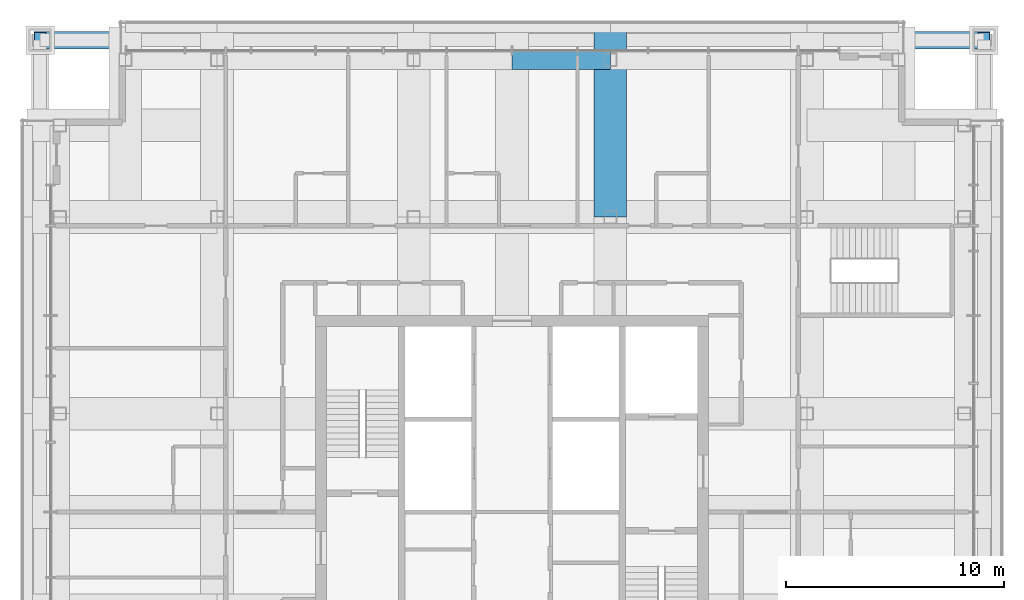
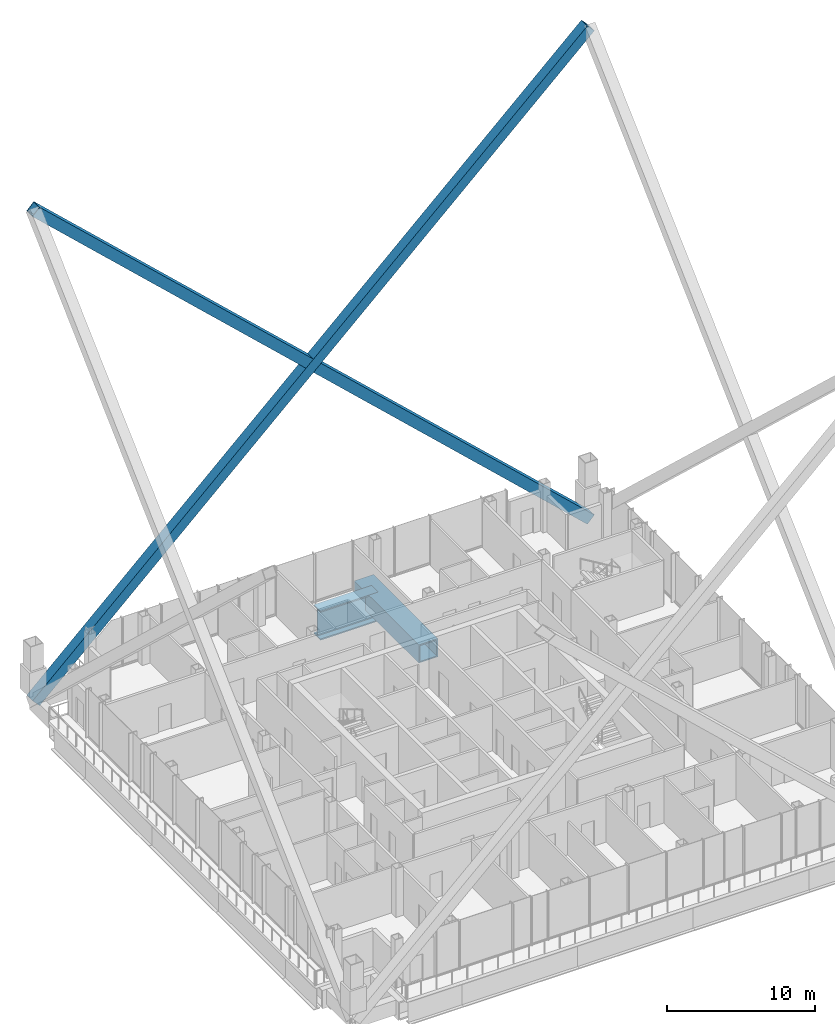
# One storey, part 9 of 19: 2 beams, 2 members.
"""IFC4 building model written with IfcOpenShell, lengths in metres."""

from ifc_helpers import new_model, si_unit, direction, frame, origin, origin_2d, place, context, subcontext, project, spatial, hollow_rectangle, i_section, extrude, material, material_profile, profile_set, type_object, element, save


model = new_model("IFC4")

# Units and contexts
model_context = context("Model", 3, precision=1e-05, world=origin(), true_north=direction((0.0, 1.0)))
body_context = subcontext(model_context, "Body", "Model", "MODEL_VIEW")
ifc_project = project(units=[si_unit("LENGTHUNIT", "METRE"), si_unit("AREAUNIT", "SQUARE_METRE"), si_unit("VOLUMEUNIT", "CUBIC_METRE"), si_unit("PLANEANGLEUNIT", "RADIAN"), si_unit("MASSUNIT", "GRAM", prefix="KILO")], contexts=[model_context])

# Site, building, storey
site_placement = place(None, origin())
site = spatial("IfcSite", under=ifc_project, at=site_placement, CompositionType="ELEMENT")
building_placement = place(site_placement, origin())
building = spatial("IfcBuilding", under=site, at=building_placement, Name="Malebo Sky Hospital", CompositionType="ELEMENT")
storey_placement = place(building_placement, frame((0.0, 0.0, 250.0)))
storey = spatial("IfcBuildingStorey", under=building, at=storey_placement, Name="L60", CompositionType="ELEMENT", Elevation=250.0)

# Members
ifc_material_1 = material(Name="Steel S460", Category="steel")
ifc_material_profile_1 = material_profile(ifc_material_1, hollow_rectangle(XDim=0.800048828125, YDim=0.800048828125, WallThickness=0.0400390625, at=origin_2d()), Name="BOX 800x800x40")
ifc_profile_set_1 = profile_set([ifc_material_profile_1], Name="Steel S460")
member_type = type_object("IfcMemberType", Name="MEGA BRACE BOX 800x800x40", PredefinedType="BRACE", material=ifc_profile_set_1)
for number, where, z_axis, x_axis, name in (
    (1, (81.60009765625, 83.60009765625, -0.85009765625), (-0.729958512274, 0.0, 0.683491455951), (0.0, -1.0, 0.0), "Mega brace D1N1 L60-RF"),
    (2, (38.39990234375, 83.60009765625, -0.85009765625), (0.729958512274, 0.0, 0.683491455951), (0.0, 1.0, 0.0), "Mega brace D1N2 L60-RF"),
):
    element("IfcMember", number, at=place(storey_placement, frame(where, z_axis=z_axis, x_axis=x_axis)), inside=storey, type_object=member_type, Name=name, PredefinedType="BRACE", context=body_context, shape_type="SweptSolid", body=[
        extrude(hollow_rectangle(XDim=0.800048828125, YDim=0.800048828125, WallThickness=0.0400390625, at=origin_2d()), origin(), (0.0, 0.0, 1.0), 59.181640625),
    ])

# Beams
ifc_material_profile_2 = material_profile(ifc_material_1, hollow_rectangle(XDim=1.5, YDim=1.5, WallThickness=0.10009765625, at=origin_2d()), Name="BOX 1500x1500x100")
ifc_profile_set_2 = profile_set([ifc_material_profile_2], Name="Steel S460")
beam_type_1 = type_object("IfcBeamType", Name="TRANSFER GIRDER BOX 1500x1500x100", PredefinedType="BEAM", material=ifc_profile_set_2)
beam_1_placement = place(storey_placement, frame((64.5, 75.5, -1.0), z_axis=(0.0, 1.0, 0.0), x_axis=(-1.0, 0.0, 0.0)))
element("IfcBeam", 3, at=beam_1_placement, inside=storey, type_object=beam_type_1, Name="Beam 022 L60", PredefinedType="BEAM", context=body_context, shape_type="SweptSolid", body=[
    extrude(hollow_rectangle(XDim=1.5, YDim=1.5, WallThickness=0.10009765625, at=origin_2d()), origin(), (0.0, 0.0, 1.0), 8.699951171875),
])
ifc_material_2 = material(Name="Steel S355", Category="steel")
ifc_material_profile_3 = material_profile(ifc_material_2, i_section(OverallWidth=0.89990234375, OverallDepth=2.39990234375, WebThickness=0.050048828125, FlangeThickness=0.10009765625, at=origin_2d()), Name="PG 2400x900x50x100")
ifc_profile_set_3 = profile_set([ifc_material_profile_3], Name="Steel S355")
beam_type_2 = type_object("IfcBeamType", Name="TRANSFER GIRDER PG 2400x900x50x100", PredefinedType="BEAM", material=ifc_profile_set_3)
beam_2_placement = place(storey_placement, frame((60.0, 82.699951171875, -1.449951171875), z_axis=(1.0, 0.0, 0.0), x_axis=(0.0, 1.0, 0.0)))
element("IfcBeam", 4, at=beam_2_placement, inside=storey, type_object=beam_type_2, Name="Beam 066d L60", PredefinedType="BEAM", context=body_context, shape_type="SweptSolid", body=[
    extrude(i_section(OverallWidth=0.89990234375, OverallDepth=2.39990234375, WebThickness=0.050048828125, FlangeThickness=0.10009765625, at=origin_2d()), origin(), (0.0, 0.0, 1.0), 4.5),
])

save(model, "model.ifc")
